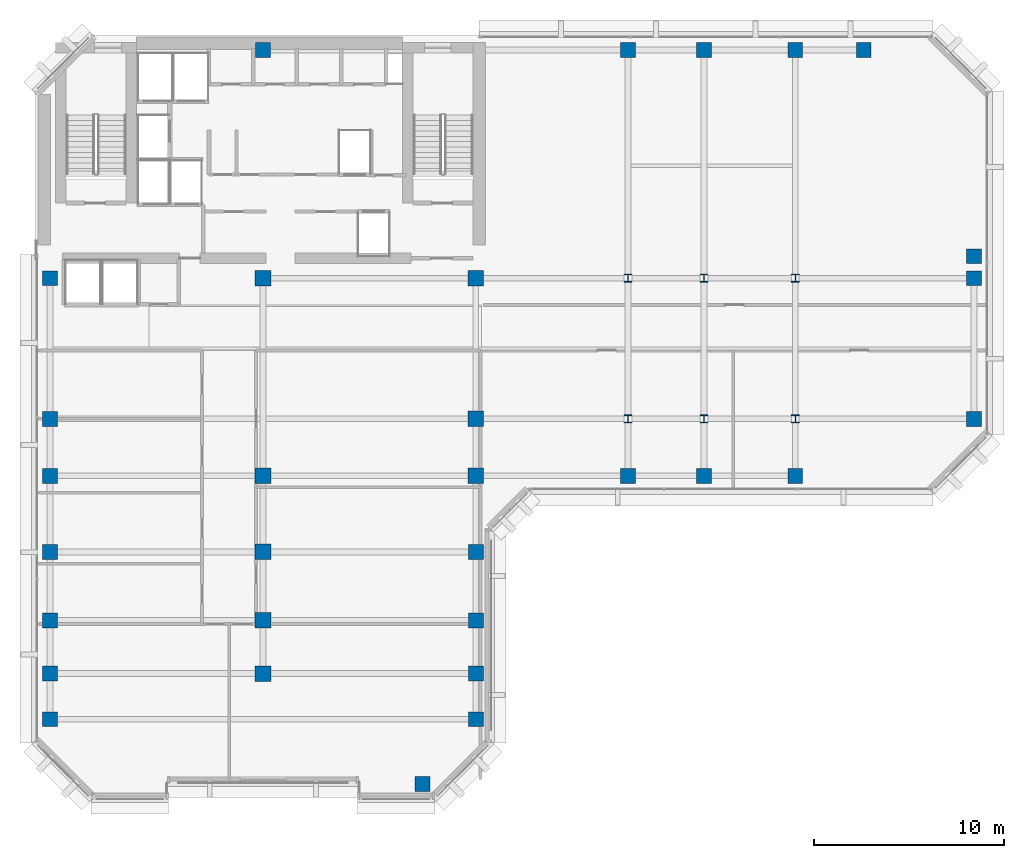
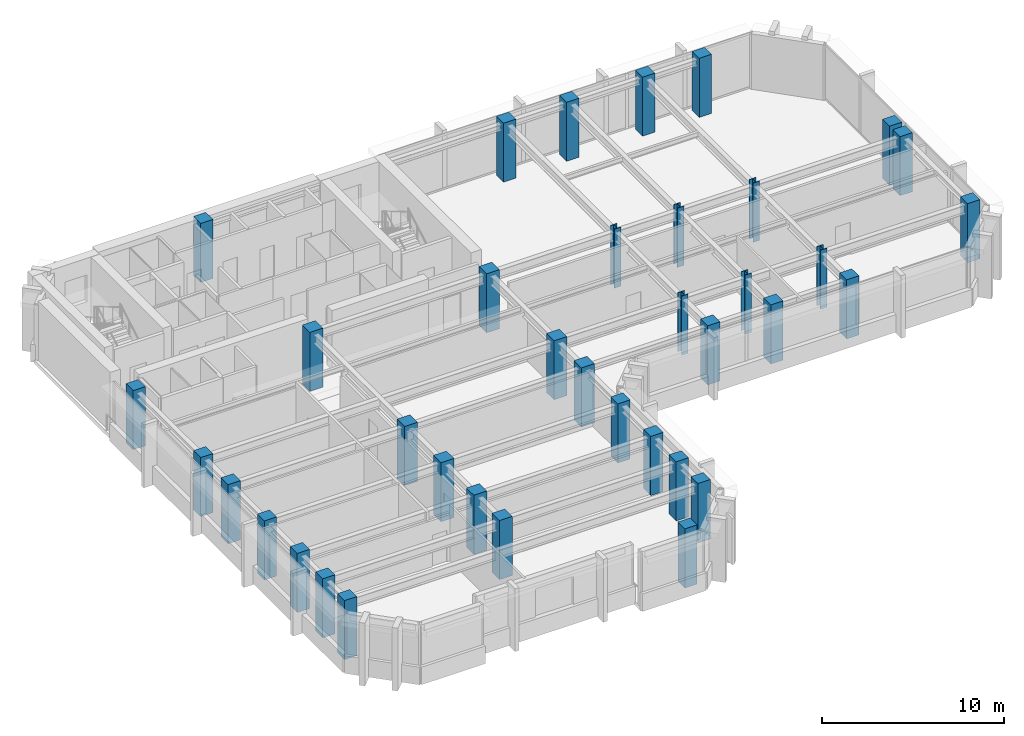
# One storey, part 1 of 12: 37 columns.
"""IFC4 building model written with IfcOpenShell, lengths in metres."""

from ifc_helpers import new_model, si_unit, direction, frame, origin, origin_2d, place, context, subcontext, project, spatial, rectangle, i_section, extrude, material, material_profile, profile_set, type_object, element, save


model = new_model("IFC4")

# Units and contexts
model_context = context("Model", 3, precision=1e-05, world=origin(), true_north=direction((0.0, 1.0)))
body_context = subcontext(model_context, "Body", "Model", "MODEL_VIEW")
ifc_project = project(units=[si_unit("LENGTHUNIT", "METRE"), si_unit("AREAUNIT", "SQUARE_METRE"), si_unit("VOLUMEUNIT", "CUBIC_METRE"), si_unit("PLANEANGLEUNIT", "RADIAN"), si_unit("MASSUNIT", "GRAM", prefix="KILO")], contexts=[model_context])

# Site, building, storey
site_placement = place(None, origin())
site = spatial("IfcSite", under=ifc_project, at=site_placement, CompositionType="ELEMENT")
building_placement = place(site_placement, origin())
building = spatial("IfcBuilding", under=site, at=building_placement, Name="Kefirva Bronze Tower", CompositionType="ELEMENT")
storey_placement = place(building_placement, frame((0.0, 0.0, 264.330078125)))
storey = spatial("IfcBuildingStorey", under=building, at=storey_placement, Name="L64", CompositionType="ELEMENT", Elevation=264.330078125)

# Columns
ifc_material_1 = material(Name="Concrete C50/60", Category="concrete")
ifc_material_profile_1 = material_profile(ifc_material_1, rectangle(XDim=0.780029296875, YDim=0.780029296875, at=origin_2d()), Name="RC 780x780")
ifc_profile_set_1 = profile_set([ifc_material_profile_1], Name="Concrete C50/60")
column_type_1 = type_object("IfcColumnType", Name="RC Column 780x780 Ext", PredefinedType="COLUMN", material=ifc_profile_set_1)
for number, where, z_axis, x_axis, name in (
    (1, (0.800048828125, 10.0, 0.0), (0.0, 0.0, 1.0), (1.0, 0.0, 0.0), "L64 Column C008_100"),
    (2, (0.800048828125, 12.39990234375, 0.0), (0.0, 0.0, 1.0), (1.0, 0.0, 0.0), "L64 Column C008_124"),
    (3, (0.800048828125, 15.199951171875, 0.0), (0.0, 0.0, 1.0), (1.0, 0.0, 0.0), "L64 Column C008_152"),
    (4, (0.800048828125, 18.800048828125, 0.0), (0.0, 0.0, 1.0), (1.0, 0.0, 0.0), "L64 Column C008_188"),
    (5, (0.800048828125, 22.800048828125, 0.0), (0.0, 0.0, 1.0), (1.0, 0.0, 0.0), "L64 Column C008_228"),
    (6, (0.800048828125, 25.800048828125, 0.0), (0.0, 0.0, 1.0), (1.0, 0.0, 0.0), "L64 Column C008_258"),
    (7, (0.800048828125, 33.199951171875, 0.0), (0.0, 0.0, 1.0), (1.0, 0.0, 0.0), "L64 Column C008_332"),
    (8, (12.0, 45.199951171875, 0.0), (0.0, 0.0, 1.0), (1.0, 0.0, 0.0), "L64 Column C120_452"),
    (9, (20.39990234375, 6.60009765625, 0.0), (0.0, 0.0, 1.0), (1.0, 0.0, 0.0), "L64 Column C204_066"),
    (10, (23.199951171875, 10.0, 0.0), (0.0, 0.0, 1.0), (1.0, 0.0, 0.0), "L64 Column C232_100"),
    (11, (23.199951171875, 12.39990234375, 0.0), (0.0, 0.0, 1.0), (1.0, 0.0, 0.0), "L64 Column C232_124"),
    (12, (23.199951171875, 15.199951171875, 0.0), (0.0, 0.0, 1.0), (1.0, 0.0, 0.0), "L64 Column C232_152"),
    (13, (23.199951171875, 18.800048828125, 0.0), (0.0, 0.0, 1.0), (1.0, 0.0, 0.0), "L64 Column C232_188"),
    (14, (31.199951171875, 22.800048828125, 0.0), (0.0, 0.0, 1.0), (1.0, 0.0, 0.0), "L64 Column C312_228"),
    (15, (31.199951171875, 45.199951171875, 0.0), (0.0, 0.0, 1.0), (1.0, 0.0, 0.0), "L64 Column C312_452"),
    (16, (35.199951171875, 22.800048828125, 0.0), (0.0, 0.0, 1.0), (1.0, 0.0, 0.0), "L64 Column C352_228"),
    (17, (35.199951171875, 45.199951171875, 0.0), (0.0, 0.0, 1.0), (1.0, 0.0, 0.0), "L64 Column C352_452"),
    (18, (40.0, 22.800048828125, 0.0), (0.0, 0.0, 1.0), (1.0, 0.0, 0.0), "L64 Column C400_228"),
    (19, (40.0, 45.199951171875, 0.0), (0.0, 0.0, 1.0), (1.0, 0.0, 0.0), "L64 Column C400_452"),
    (20, (43.60009765625, 45.199951171875, 0.0), (0.0, 0.0, 1.0), (1.0, 0.0, 0.0), "L64 Column C436_452"),
    (21, (49.39990234375, 25.800048828125, 0.0), (0.0, 0.0, 1.0), (1.0, 0.0, 0.0), "L64 Column C494_258"),
    (22, (49.39990234375, 33.199951171875, 0.0), (0.0, 0.0, 1.0), (1.0, 0.0, 0.0), "L64 Column C494_332"),
    (23, (49.39990234375, 34.35009765625, 0.0), (0.0, 0.0, 1.0), (1.0, 0.0, 0.0), "L64 Column C494_344"),
):
    element("IfcColumn", number, at=place(storey_placement, frame(where, z_axis=z_axis, x_axis=x_axis)), inside=storey, type_object=column_type_1, Name=name, PredefinedType="COLUMN", context=body_context, shape_type="SweptSolid", body=[
        extrude(rectangle(XDim=0.780029296875, YDim=0.780029296875, at=origin_2d()), origin(), (0.0, 0.0, 1.0), 3.9599609375),
    ])
ifc_material_profile_2 = material_profile(ifc_material_1, rectangle(XDim=0.820068359375, YDim=0.820068359375, at=origin_2d()), Name="RC 820x820")
ifc_profile_set_2 = profile_set([ifc_material_profile_2], Name="Concrete C50/60")
column_type_2 = type_object("IfcColumnType", Name="RC Column 820x820 Int", PredefinedType="COLUMN", material=ifc_profile_set_2)
for number, where, z_axis, x_axis, name in (
    (24, (12.0, 12.39990234375, 0.0), (0.0, 0.0, 1.0), (1.0, 0.0, 0.0), "L64 Column C120_124"),
    (25, (12.0, 15.199951171875, 0.0), (0.0, 0.0, 1.0), (1.0, 0.0, 0.0), "L64 Column C120_152"),
    (26, (12.0, 18.800048828125, 0.0), (0.0, 0.0, 1.0), (1.0, 0.0, 0.0), "L64 Column C120_188"),
    (27, (12.0, 22.800048828125, 0.0), (0.0, 0.0, 1.0), (1.0, 0.0, 0.0), "L64 Column C120_228"),
    (28, (12.0, 33.199951171875, 0.0), (0.0, 0.0, 1.0), (1.0, 0.0, 0.0), "L64 Column C120_332"),
    (29, (23.199951171875, 22.800048828125, 0.0), (0.0, 0.0, 1.0), (1.0, 0.0, 0.0), "L64 Column C232_228"),
    (30, (23.199951171875, 25.800048828125, 0.0), (0.0, 0.0, 1.0), (1.0, 0.0, 0.0), "L64 Column C232_258"),
    (31, (23.199951171875, 33.199951171875, 0.0), (0.0, 0.0, 1.0), (1.0, 0.0, 0.0), "L64 Column C232_332"),
):
    element("IfcColumn", number, at=place(storey_placement, frame(where, z_axis=z_axis, x_axis=x_axis)), inside=storey, type_object=column_type_2, Name=name, PredefinedType="COLUMN", context=body_context, shape_type="SweptSolid", body=[
        extrude(rectangle(XDim=0.820068359375, YDim=0.820068359375, at=origin_2d()), origin(), (0.0, 0.0, 1.0), 3.9599609375),
    ])
ifc_material_2 = material(Name="Steel S460", Category="steel")
ifc_material_profile_3 = material_profile(ifc_material_2, i_section(OverallWidth=0.412109375, OverallDepth=0.43505859375, WebThickness=0.027099609375, FlangeThickness=0.04296875, at=origin_2d()), Name="HD 400x463")
ifc_profile_set_3 = profile_set([ifc_material_profile_3], Name="Steel S460")
column_type_3 = type_object("IfcColumnType", Name="Steel Column HD 400x463", PredefinedType="COLUMN", material=ifc_profile_set_3)
for number, where, z_axis, x_axis, name in (
    (32, (31.199951171875, 25.800048828125, 0.0), (0.0, 0.0, 1.0), (1.0, 0.0, 0.0), "L64 Column C312_258"),
    (33, (31.199951171875, 33.199951171875, 0.0), (0.0, 0.0, 1.0), (1.0, 0.0, 0.0), "L64 Column C312_332"),
    (34, (35.199951171875, 25.800048828125, 0.0), (0.0, 0.0, 1.0), (1.0, 0.0, 0.0), "L64 Column C352_258"),
    (35, (35.199951171875, 33.199951171875, 0.0), (0.0, 0.0, 1.0), (1.0, 0.0, 0.0), "L64 Column C352_332"),
    (36, (40.0, 25.800048828125, 0.0), (0.0, 0.0, 1.0), (1.0, 0.0, 0.0), "L64 Column C400_258"),
    (37, (40.0, 33.199951171875, 0.0), (0.0, 0.0, 1.0), (1.0, 0.0, 0.0), "L64 Column C400_332"),
):
    element("IfcColumn", number, at=place(storey_placement, frame(where, z_axis=z_axis, x_axis=x_axis)), inside=storey, type_object=column_type_3, Name=name, PredefinedType="COLUMN", context=body_context, shape_type="SweptSolid", body=[
        extrude(i_section(OverallWidth=0.412109375, OverallDepth=0.43505859375, WebThickness=0.027099609375, FlangeThickness=0.04296875, at=origin_2d()), origin(), (0.0, 0.0, 1.0), 3.9599609375),
    ])

save(model, "model.ifc")
